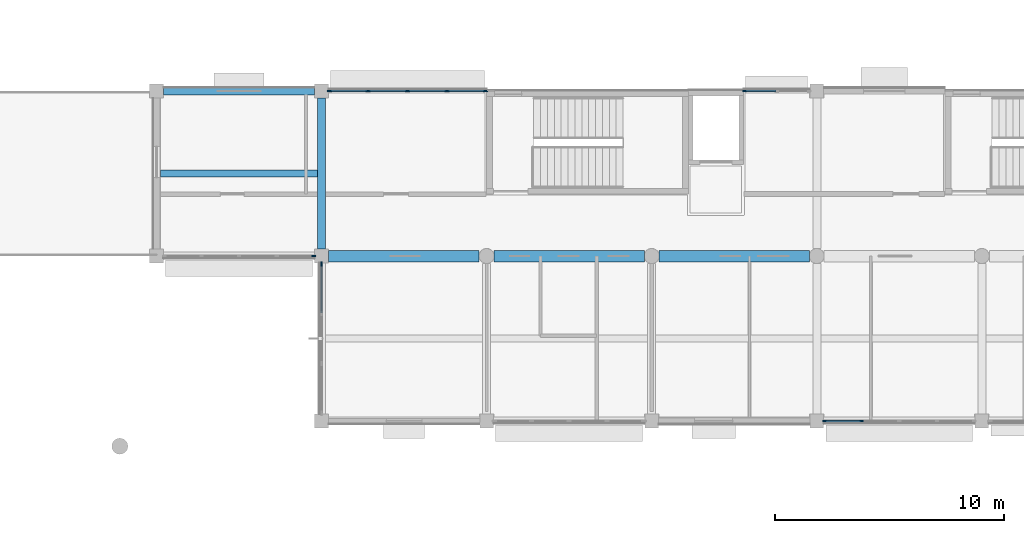
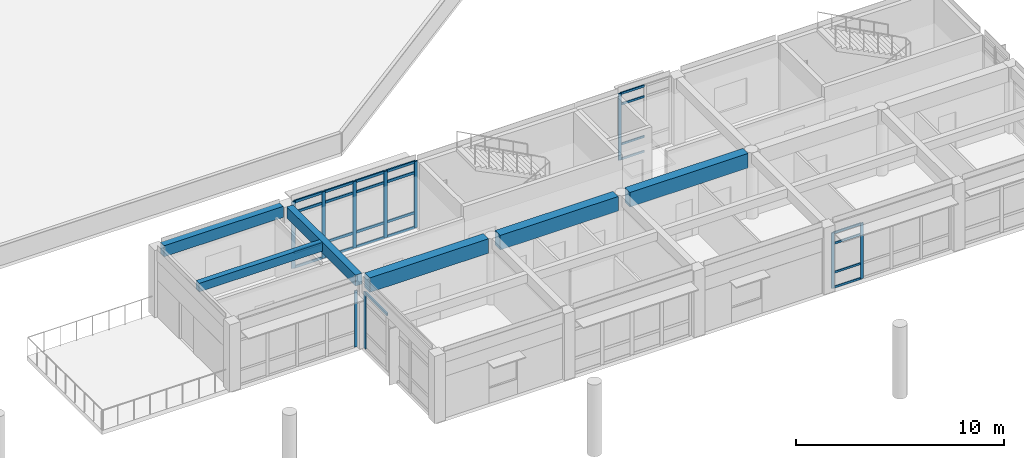
# One storey, part 4 of 55: 35 members, 6 beams, 5 elements without a shape of their own.
"""IFC4 building model written with IfcOpenShell, lengths in metres."""

from ifc_helpers import new_model, si_unit, direction, frame, origin, origin_2d, place, context, subcontext, project, spatial, rectangle, extrude, material, layer, layer_set, material_profile, profile_set, type_object, element, aggregate, save


model = new_model("IFC4")

# Units and contexts
model_context = context("Model", 3, precision=1e-05, world=origin(), true_north=direction((0.0, 1.0)))
body_context = subcontext(model_context, "Body", "Model", "MODEL_VIEW")
ifc_project = project(units=[si_unit("LENGTHUNIT", "METRE"), si_unit("AREAUNIT", "SQUARE_METRE"), si_unit("VOLUMEUNIT", "CUBIC_METRE"), si_unit("PLANEANGLEUNIT", "RADIAN"), si_unit("MASSUNIT", "GRAM", prefix="KILO")], contexts=[model_context])

# Site, building, storey
site_placement = place(None, origin())
site = spatial("IfcSite", under=ifc_project, at=site_placement, CompositionType="ELEMENT")
building_placement = place(site_placement, origin())
building = spatial("IfcBuilding", under=site, at=building_placement, Name="Namkhue Oval Health Centre", CompositionType="ELEMENT")
storey_placement = place(building_placement, frame((0.0, 0.0, 9.60009765625)))
storey = spatial("IfcBuildingStorey", under=building, at=storey_placement, Name="L02", CompositionType="ELEMENT", Elevation=9.60009765625)

# Curtain wall, members
ifc_material_1 = material(Name="Anodised aluminium EN AW-6063 T6", Category="aluminium")
ifc_layer_1 = layer(ifc_material_1, 0.159912109375)
ifc_layer_set_1 = layer_set([ifc_layer_1], Name="Anodised aluminium EN AW-6063 T6")
curtain_wall_type_1 = type_object("IfcCurtainWallType", Name="UNITISED CURTAIN WALL M1800", PredefinedType="NOTDEFINED", material=ifc_layer_set_1)
curtain_wall_1_placement = place(storey_placement, origin())
curtain_wall_1 = element("IfcCurtainWall", 1, at=curtain_wall_1_placement, inside=storey, type_object=curtain_wall_type_1, Name="Volume V4 L02 Unitised Curtain Wall 161", PredefinedType="NOTDEFINED")
ifc_material_profile_1 = material_profile(ifc_material_1, rectangle(XDim=0.06494140625, YDim=0.159912109375, at=origin_2d()), Name="ALU 65x160")
ifc_profile_set_1 = profile_set([ifc_material_profile_1], Name="Anodised aluminium EN AW-6063 T6")
member_type_1 = type_object("IfcMemberType", Name="CURTAIN WALL MULLION 65X160", PredefinedType="MULLION", material=ifc_profile_set_1)
member_1_placement = place(storey_placement, frame((72.343505859375, 14.39990234375, 0.0), z_axis=(0.0, 0.0, 1.0), x_axis=(0.0, 1.0, 0.0)))
member_1 = element("IfcMember", 2, at=member_1_placement, type_object=member_type_1, Name="CW-05 mullion 1", PredefinedType="MULLION", context=body_context, shape_type="SweptSolid", body=[
    extrude(rectangle(XDim=0.06494140625, YDim=0.159912109375, at=origin_2d()), origin(), (0.0, 0.0, 1.0), 3.25),
])
member_2_placement = place(storey_placement, frame((73.95556640625, 14.39990234375, 0.0), z_axis=(0.0, 0.0, 1.0), x_axis=(0.0, 1.0, 0.0)))
member_2 = element("IfcMember", 3, at=member_2_placement, type_object=member_type_1, Name="CW-05 mullion 2", PredefinedType="MULLION", context=body_context, shape_type="SweptSolid", body=[
    extrude(rectangle(XDim=0.06494140625, YDim=0.159912109375, at=origin_2d()), origin(), (0.0, 0.0, 1.0), 3.25),
])

# Curtain wall, member
ifc_layer_2 = layer(ifc_material_1, 0.159912109375)
ifc_layer_set_2 = layer_set([ifc_layer_2], Name="Anodised aluminium EN AW-6063 T6")
curtain_wall_type_2 = type_object("IfcCurtainWallType", Name="UNITISED CURTAIN WALL M1500", PredefinedType="NOTDEFINED", material=ifc_layer_set_2)
curtain_wall_2_placement = place(storey_placement, origin())
curtain_wall_2 = element("IfcCurtainWall", 4, at=curtain_wall_2_placement, inside=storey, type_object=curtain_wall_type_2, Name="Volume V4 L02 Unitised Curtain Wall 165", PredefinedType="NOTDEFINED")
member_3_placement = place(storey_placement, frame((68.849609375, 28.800048828125, 0.0), z_axis=(0.0, 0.0, 1.0), x_axis=(0.0, -1.0, 0.0)))
member_3 = element("IfcMember", 5, at=member_3_placement, type_object=member_type_1, Name="CW-03 mullion 3", PredefinedType="MULLION", context=body_context, shape_type="SweptSolid", body=[
    extrude(rectangle(XDim=0.06494140625, YDim=0.159912109375, at=origin_2d()), origin(), (0.0, 0.0, 1.0), 3.89990234375),
])

curtain_wall_3_placement = place(storey_placement, origin())
curtain_wall_3 = element("IfcCurtainWall", 6, at=curtain_wall_3_placement, inside=storey, type_object=curtain_wall_type_1, Name="Volume V4 L02 Unitised Curtain Wall 167", PredefinedType="NOTDEFINED")
member_4_placement = place(storey_placement, frame((50.056396484375, 21.60009765625, 0.0), z_axis=(0.0, 0.0, 1.0), x_axis=(0.0, 1.0, 0.0)))
member_4 = element("IfcMember", 7, at=member_4_placement, type_object=member_type_1, Name="CW-05 mullion 5", PredefinedType="MULLION", context=body_context, shape_type="SweptSolid", body=[
    extrude(rectangle(XDim=0.06494140625, YDim=0.159912109375, at=origin_2d()), origin(), (0.0, 0.0, 1.0), 3.2919921875),
])
aggregate(curtain_wall_3, [member_4])

# Curtain wall, members
ifc_layer_3 = layer(ifc_material_1, 0.159912109375)
ifc_layer_set_3 = layer_set([ifc_layer_3], Name="Anodised aluminium EN AW-6063 T6")
curtain_wall_type_3 = type_object("IfcCurtainWallType", Name="UNITISED CURTAIN WALL M1600", PredefinedType="NOTDEFINED", material=ifc_layer_set_3)
curtain_wall_4_placement = place(storey_placement, origin())
curtain_wall_4 = element("IfcCurtainWall", 8, at=curtain_wall_4_placement, inside=storey, type_object=curtain_wall_type_3, Name="Volume V4 L02 Unitised Curtain Wall 166", PredefinedType="NOTDEFINED")
ifc_material_profile_2 = material_profile(ifc_material_1, rectangle(XDim=0.074951171875, YDim=0.199951171875, at=origin_2d()), Name="ALU 75x200")
ifc_profile_set_2 = profile_set([ifc_material_profile_2], Name="Anodised aluminium EN AW-6063 T6")
member_type_2 = type_object("IfcMemberType", Name="CURTAIN WALL MULLION 75X200", PredefinedType="MULLION", material=ifc_profile_set_2)
member_5_placement = place(storey_placement, frame((57.54541015625, 28.800048828125, 0.0), z_axis=(0.0, 0.0, 1.0), x_axis=(0.0, -1.0, 0.0)))
member_5 = element("IfcMember", 9, at=member_5_placement, type_object=member_type_2, Name="CW-04 mullion 1", PredefinedType="MULLION", context=body_context, shape_type="SweptSolid", body=[
    extrude(rectangle(XDim=0.074951171875, YDim=0.199951171875, at=origin_2d()), origin(), (0.0, 0.0, 1.0), 3.89990234375),
])
member_6_placement = place(storey_placement, frame((55.864990234375, 28.800048828125, 0.0), z_axis=(0.0, 0.0, 1.0), x_axis=(0.0, -1.0, 0.0)))
member_6 = element("IfcMember", 10, at=member_6_placement, type_object=member_type_2, Name="CW-04 mullion 2", PredefinedType="MULLION", context=body_context, shape_type="SweptSolid", body=[
    extrude(rectangle(XDim=0.074951171875, YDim=0.199951171875, at=origin_2d()), origin(), (0.0, 0.0, 1.0), 3.89990234375),
])
member_7_placement = place(storey_placement, frame((54.14697265625, 28.800048828125, 0.0), z_axis=(0.0, 0.0, 1.0), x_axis=(0.0, -1.0, 0.0)))
member_7 = element("IfcMember", 11, at=member_7_placement, type_object=member_type_2, Name="CW-04 mullion 3", PredefinedType="MULLION", context=body_context, shape_type="SweptSolid", body=[
    extrude(rectangle(XDim=0.074951171875, YDim=0.199951171875, at=origin_2d()), origin(), (0.0, 0.0, 1.0), 3.89990234375),
])
member_8_placement = place(storey_placement, frame((52.428955078125, 28.800048828125, 0.0), z_axis=(0.0, 0.0, 1.0), x_axis=(0.0, -1.0, 0.0)))
member_8 = element("IfcMember", 12, at=member_8_placement, type_object=member_type_2, Name="CW-04 mullion 4", PredefinedType="MULLION", context=body_context, shape_type="SweptSolid", body=[
    extrude(rectangle(XDim=0.074951171875, YDim=0.199951171875, at=origin_2d()), origin(), (0.0, 0.0, 1.0), 3.89990234375),
])
member_9_placement = place(storey_placement, frame((50.74853515625, 28.800048828125, 0.0), z_axis=(0.0, 0.0, 1.0), x_axis=(0.0, -1.0, 0.0)))
member_9 = element("IfcMember", 13, at=member_9_placement, type_object=member_type_2, Name="CW-04 mullion 5", PredefinedType="MULLION", context=body_context, shape_type="SweptSolid", body=[
    extrude(rectangle(XDim=0.074951171875, YDim=0.199951171875, at=origin_2d()), origin(), (0.0, 0.0, 1.0), 3.89990234375),
])

# Curtain wall, member
ifc_layer_4 = layer(ifc_material_1, 0.159912109375)
ifc_layer_set_4 = layer_set([ifc_layer_4], Name="Anodised aluminium EN AW-6063 T6")
curtain_wall_type_4 = type_object("IfcCurtainWallType", Name="UNITISED CURTAIN WALL M2000", PredefinedType="NOTDEFINED", material=ifc_layer_set_4)
curtain_wall_5_placement = place(storey_placement, origin())
curtain_wall_5 = element("IfcCurtainWall", 14, at=curtain_wall_5_placement, inside=storey, type_object=curtain_wall_type_4, Name="Volume V4 L02 Unitised Curtain Wall 168", PredefinedType="NOTDEFINED")
member_10_placement = place(storey_placement, frame((50.39990234375, 21.25146484375, 0.0), z_axis=(0.0, 0.0, 1.0), x_axis=(1.0, 0.0, 0.0)))
member_10 = element("IfcMember", 15, at=member_10_placement, type_object=member_type_2, Name="CW-06 mullion 1", PredefinedType="MULLION", context=body_context, shape_type="SweptSolid", body=[
    extrude(rectangle(XDim=0.074951171875, YDim=0.199951171875, at=origin_2d()), origin(), (0.0, 0.0, 1.0), 3.2919921875),
])

# Member
ifc_material_profile_3 = material_profile(ifc_material_1, rectangle(XDim=0.06494140625, YDim=0.1201171875, at=origin_2d()), Name="ALU 65x120")
ifc_profile_set_3 = profile_set([ifc_material_profile_3], Name="Anodised aluminium EN AW-6063 T6")
member_type_3 = type_object("IfcMemberType", Name="CURTAIN WALL TRANSOM 65X120", PredefinedType="USERDEFINED", material=ifc_profile_set_3)
member_11_placement = place(storey_placement, frame((72.3759765625, 14.39990234375, 0.032470703125), z_axis=(1.0, 0.0, 0.0), x_axis=(0.0, 1.0, 0.0)))
member_11 = element("IfcMember", 16, at=member_11_placement, type_object=member_type_3, Name="CW-05 transom 1.1", ObjectType="TRANSOM", PredefinedType="USERDEFINED", context=body_context, shape_type="SweptSolid", body=[
    extrude(rectangle(XDim=0.06494140625, YDim=0.1201171875, at=origin_2d()), origin(), (0.0, 0.0, 1.0), 1.547119140625),
])

member_12_placement = place(storey_placement, frame((72.3759765625, 14.39990234375, 0.89990234375), z_axis=(1.0, 0.0, 0.0), x_axis=(0.0, 1.0, 0.0)))
member_12 = element("IfcMember", 17, at=member_12_placement, type_object=member_type_3, Name="CW-05 transom 1.2", ObjectType="TRANSOM", PredefinedType="USERDEFINED", context=body_context, shape_type="SweptSolid", body=[
    extrude(rectangle(XDim=0.06494140625, YDim=0.1201171875, at=origin_2d()), origin(), (0.0, 0.0, 1.0), 1.547119140625),
])

member_13_placement = place(storey_placement, frame((72.3759765625, 14.39990234375, 2.599853515625), z_axis=(1.0, 0.0, 0.0), x_axis=(0.0, 1.0, 0.0)))
member_13 = element("IfcMember", 18, at=member_13_placement, type_object=member_type_3, Name="CW-05 transom 1.3", ObjectType="TRANSOM", PredefinedType="USERDEFINED", context=body_context, shape_type="SweptSolid", body=[
    extrude(rectangle(XDim=0.06494140625, YDim=0.1201171875, at=origin_2d()), origin(), (0.0, 0.0, 1.0), 1.547119140625),
])

member_14_placement = place(storey_placement, frame((72.3759765625, 14.39990234375, 3.21728515625), z_axis=(1.0, 0.0, 0.0), x_axis=(0.0, 1.0, 0.0)))
member_14 = element("IfcMember", 19, at=member_14_placement, type_object=member_type_3, Name="CW-05 transom 1.4", ObjectType="TRANSOM", PredefinedType="USERDEFINED", context=body_context, shape_type="SweptSolid", body=[
    extrude(rectangle(XDim=0.06494140625, YDim=0.1201171875, at=origin_2d()), origin(), (0.0, 0.0, 1.0), 1.547119140625),
])

aggregate(curtain_wall_1, [member_1, member_2, member_11, member_12, member_13, member_14])

member_15_placement = place(storey_placement, frame((70.220458984375, 28.800048828125, 0.032470703125), z_axis=(-1.0, 0.0, 0.0), x_axis=(0.0, -1.0, 0.0)))
member_15 = element("IfcMember", 20, at=member_15_placement, type_object=member_type_3, Name="CW-03 transom 2.1", ObjectType="TRANSOM", PredefinedType="USERDEFINED", context=body_context, shape_type="SweptSolid", body=[
    extrude(rectangle(XDim=0.06494140625, YDim=0.1201171875, at=origin_2d()), origin(), (0.0, 0.0, 1.0), 1.33837890625),
])

member_16_placement = place(storey_placement, frame((70.220458984375, 28.800048828125, 0.89990234375), z_axis=(-1.0, 0.0, 0.0), x_axis=(0.0, -1.0, 0.0)))
member_16 = element("IfcMember", 21, at=member_16_placement, type_object=member_type_3, Name="CW-03 transom 2.2", ObjectType="TRANSOM", PredefinedType="USERDEFINED", context=body_context, shape_type="SweptSolid", body=[
    extrude(rectangle(XDim=0.06494140625, YDim=0.1201171875, at=origin_2d()), origin(), (0.0, 0.0, 1.0), 1.33837890625),
])

member_17_placement = place(storey_placement, frame((70.220458984375, 28.800048828125, 3.25), z_axis=(-1.0, 0.0, 0.0), x_axis=(0.0, -1.0, 0.0)))
member_17 = element("IfcMember", 22, at=member_17_placement, type_object=member_type_3, Name="CW-03 transom 2.3", ObjectType="TRANSOM", PredefinedType="USERDEFINED", context=body_context, shape_type="SweptSolid", body=[
    extrude(rectangle(XDim=0.06494140625, YDim=0.1201171875, at=origin_2d()), origin(), (0.0, 0.0, 1.0), 1.33837890625),
])

member_18_placement = place(storey_placement, frame((70.220458984375, 28.800048828125, 3.867431640625), z_axis=(-1.0, 0.0, 0.0), x_axis=(0.0, -1.0, 0.0)))
member_18 = element("IfcMember", 23, at=member_18_placement, type_object=member_type_3, Name="CW-03 transom 2.4", ObjectType="TRANSOM", PredefinedType="USERDEFINED", context=body_context, shape_type="SweptSolid", body=[
    extrude(rectangle(XDim=0.06494140625, YDim=0.1201171875, at=origin_2d()), origin(), (0.0, 0.0, 1.0), 1.33837890625),
])

aggregate(curtain_wall_2, [member_3, member_15, member_16, member_17, member_18])

ifc_material_profile_4 = material_profile(ifc_material_1, rectangle(XDim=0.074951171875, YDim=0.14990234375, at=origin_2d()), Name="ALU 75x150")
ifc_profile_set_4 = profile_set([ifc_material_profile_4], Name="Anodised aluminium EN AW-6063 T6")
member_type_4 = type_object("IfcMemberType", Name="CURTAIN WALL TRANSOM 75X150", PredefinedType="USERDEFINED", material=ifc_profile_set_4)
member_19_placement = place(storey_placement, frame((57.508056640625, 28.800048828125, 0.037353515625), z_axis=(-1.0, 0.0, 0.0), x_axis=(0.0, -1.0, 0.0)))
member_19 = element("IfcMember", 24, at=member_19_placement, type_object=member_type_4, Name="CW-04 transom 1.1", ObjectType="TRANSOM", PredefinedType="USERDEFINED", context=body_context, shape_type="SweptSolid", body=[
    extrude(rectangle(XDim=0.074951171875, YDim=0.14990234375, at=origin_2d()), origin(), (0.0, 0.0, 1.0), 1.60546875),
])

member_20_placement = place(storey_placement, frame((57.508056640625, 28.800048828125, 0.89990234375), z_axis=(-1.0, 0.0, 0.0), x_axis=(0.0, -1.0, 0.0)))
member_20 = element("IfcMember", 25, at=member_20_placement, type_object=member_type_4, Name="CW-04 transom 1.2", ObjectType="TRANSOM", PredefinedType="USERDEFINED", context=body_context, shape_type="SweptSolid", body=[
    extrude(rectangle(XDim=0.074951171875, YDim=0.14990234375, at=origin_2d()), origin(), (0.0, 0.0, 1.0), 1.60546875),
])

member_21_placement = place(storey_placement, frame((57.508056640625, 28.800048828125, 3.25), z_axis=(-1.0, 0.0, 0.0), x_axis=(0.0, -1.0, 0.0)))
member_21 = element("IfcMember", 26, at=member_21_placement, type_object=member_type_4, Name="CW-04 transom 1.3", ObjectType="TRANSOM", PredefinedType="USERDEFINED", context=body_context, shape_type="SweptSolid", body=[
    extrude(rectangle(XDim=0.074951171875, YDim=0.14990234375, at=origin_2d()), origin(), (0.0, 0.0, 1.0), 1.60546875),
])

member_22_placement = place(storey_placement, frame((57.508056640625, 28.800048828125, 3.8623046875), z_axis=(-1.0, 0.0, 0.0), x_axis=(0.0, -1.0, 0.0)))
member_22 = element("IfcMember", 27, at=member_22_placement, type_object=member_type_4, Name="CW-04 transom 1.4", ObjectType="TRANSOM", PredefinedType="USERDEFINED", context=body_context, shape_type="SweptSolid", body=[
    extrude(rectangle(XDim=0.074951171875, YDim=0.14990234375, at=origin_2d()), origin(), (0.0, 0.0, 1.0), 1.60546875),
])

member_23_placement = place(storey_placement, frame((55.827392578125, 28.800048828125, 0.037353515625), z_axis=(-1.0, 0.0, 0.0), x_axis=(0.0, -1.0, 0.0)))
member_23 = element("IfcMember", 28, at=member_23_placement, type_object=member_type_4, Name="CW-04 transom 2.1", ObjectType="TRANSOM", PredefinedType="USERDEFINED", context=body_context, shape_type="SweptSolid", body=[
    extrude(rectangle(XDim=0.074951171875, YDim=0.14990234375, at=origin_2d()), origin(), (0.0, 0.0, 1.0), 1.642822265625),
])

member_24_placement = place(storey_placement, frame((55.827392578125, 28.800048828125, 0.89990234375), z_axis=(-1.0, 0.0, 0.0), x_axis=(0.0, -1.0, 0.0)))
member_24 = element("IfcMember", 29, at=member_24_placement, type_object=member_type_4, Name="CW-04 transom 2.2", ObjectType="TRANSOM", PredefinedType="USERDEFINED", context=body_context, shape_type="SweptSolid", body=[
    extrude(rectangle(XDim=0.074951171875, YDim=0.14990234375, at=origin_2d()), origin(), (0.0, 0.0, 1.0), 1.642822265625),
])

member_25_placement = place(storey_placement, frame((55.827392578125, 28.800048828125, 3.25), z_axis=(-1.0, 0.0, 0.0), x_axis=(0.0, -1.0, 0.0)))
member_25 = element("IfcMember", 30, at=member_25_placement, type_object=member_type_4, Name="CW-04 transom 2.3", ObjectType="TRANSOM", PredefinedType="USERDEFINED", context=body_context, shape_type="SweptSolid", body=[
    extrude(rectangle(XDim=0.074951171875, YDim=0.14990234375, at=origin_2d()), origin(), (0.0, 0.0, 1.0), 1.642822265625),
])

member_26_placement = place(storey_placement, frame((55.827392578125, 28.800048828125, 3.8623046875), z_axis=(-1.0, 0.0, 0.0), x_axis=(0.0, -1.0, 0.0)))
member_26 = element("IfcMember", 31, at=member_26_placement, type_object=member_type_4, Name="CW-04 transom 2.4", ObjectType="TRANSOM", PredefinedType="USERDEFINED", context=body_context, shape_type="SweptSolid", body=[
    extrude(rectangle(XDim=0.074951171875, YDim=0.14990234375, at=origin_2d()), origin(), (0.0, 0.0, 1.0), 1.642822265625),
])

member_27_placement = place(storey_placement, frame((54.109619140625, 28.800048828125, 0.037353515625), z_axis=(-1.0, 0.0, 0.0), x_axis=(0.0, -1.0, 0.0)))
member_27 = element("IfcMember", 32, at=member_27_placement, type_object=member_type_4, Name="CW-04 transom 3.1", ObjectType="TRANSOM", PredefinedType="USERDEFINED", context=body_context, shape_type="SweptSolid", body=[
    extrude(rectangle(XDim=0.074951171875, YDim=0.14990234375, at=origin_2d()), origin(), (0.0, 0.0, 1.0), 1.64306640625),
])

member_28_placement = place(storey_placement, frame((54.109619140625, 28.800048828125, 0.89990234375), z_axis=(-1.0, 0.0, 0.0), x_axis=(0.0, -1.0, 0.0)))
member_28 = element("IfcMember", 33, at=member_28_placement, type_object=member_type_4, Name="CW-04 transom 3.2", ObjectType="TRANSOM", PredefinedType="USERDEFINED", context=body_context, shape_type="SweptSolid", body=[
    extrude(rectangle(XDim=0.074951171875, YDim=0.14990234375, at=origin_2d()), origin(), (0.0, 0.0, 1.0), 1.64306640625),
])

member_29_placement = place(storey_placement, frame((54.109619140625, 28.800048828125, 3.25), z_axis=(-1.0, 0.0, 0.0), x_axis=(0.0, -1.0, 0.0)))
member_29 = element("IfcMember", 34, at=member_29_placement, type_object=member_type_4, Name="CW-04 transom 3.3", ObjectType="TRANSOM", PredefinedType="USERDEFINED", context=body_context, shape_type="SweptSolid", body=[
    extrude(rectangle(XDim=0.074951171875, YDim=0.14990234375, at=origin_2d()), origin(), (0.0, 0.0, 1.0), 1.64306640625),
])

member_30_placement = place(storey_placement, frame((54.109619140625, 28.800048828125, 3.8623046875), z_axis=(-1.0, 0.0, 0.0), x_axis=(0.0, -1.0, 0.0)))
member_30 = element("IfcMember", 35, at=member_30_placement, type_object=member_type_4, Name="CW-04 transom 3.4", ObjectType="TRANSOM", PredefinedType="USERDEFINED", context=body_context, shape_type="SweptSolid", body=[
    extrude(rectangle(XDim=0.074951171875, YDim=0.14990234375, at=origin_2d()), origin(), (0.0, 0.0, 1.0), 1.64306640625),
])

member_31_placement = place(storey_placement, frame((52.3916015625, 28.800048828125, 0.037353515625), z_axis=(-1.0, 0.0, 0.0), x_axis=(0.0, -1.0, 0.0)))
member_31 = element("IfcMember", 36, at=member_31_placement, type_object=member_type_4, Name="CW-04 transom 4.1", ObjectType="TRANSOM", PredefinedType="USERDEFINED", context=body_context, shape_type="SweptSolid", body=[
    extrude(rectangle(XDim=0.074951171875, YDim=0.14990234375, at=origin_2d()), origin(), (0.0, 0.0, 1.0), 1.605712890625),
])

member_32_placement = place(storey_placement, frame((52.3916015625, 28.800048828125, 0.89990234375), z_axis=(-1.0, 0.0, 0.0), x_axis=(0.0, -1.0, 0.0)))
member_32 = element("IfcMember", 37, at=member_32_placement, type_object=member_type_4, Name="CW-04 transom 4.2", ObjectType="TRANSOM", PredefinedType="USERDEFINED", context=body_context, shape_type="SweptSolid", body=[
    extrude(rectangle(XDim=0.074951171875, YDim=0.14990234375, at=origin_2d()), origin(), (0.0, 0.0, 1.0), 1.605712890625),
])

member_33_placement = place(storey_placement, frame((52.3916015625, 28.800048828125, 3.25), z_axis=(-1.0, 0.0, 0.0), x_axis=(0.0, -1.0, 0.0)))
member_33 = element("IfcMember", 38, at=member_33_placement, type_object=member_type_4, Name="CW-04 transom 4.3", ObjectType="TRANSOM", PredefinedType="USERDEFINED", context=body_context, shape_type="SweptSolid", body=[
    extrude(rectangle(XDim=0.074951171875, YDim=0.14990234375, at=origin_2d()), origin(), (0.0, 0.0, 1.0), 1.605712890625),
])

member_34_placement = place(storey_placement, frame((52.3916015625, 28.800048828125, 3.8623046875), z_axis=(-1.0, 0.0, 0.0), x_axis=(0.0, -1.0, 0.0)))
member_34 = element("IfcMember", 39, at=member_34_placement, type_object=member_type_4, Name="CW-04 transom 4.4", ObjectType="TRANSOM", PredefinedType="USERDEFINED", context=body_context, shape_type="SweptSolid", body=[
    extrude(rectangle(XDim=0.074951171875, YDim=0.14990234375, at=origin_2d()), origin(), (0.0, 0.0, 1.0), 1.605712890625),
])

aggregate(curtain_wall_4, [member_5, member_6, member_7, member_8, member_9, member_19, member_20, member_21, member_22, member_23, member_24, member_25, member_26, member_27, member_28, member_29, member_30, member_31, member_32, member_33, member_34])

member_35_placement = place(storey_placement, frame((50.39990234375, 21.214111328125, 3.25439453125), z_axis=(0.0, -1.0, 0.0), x_axis=(1.0, 0.0, 0.0)))
member_35 = element("IfcMember", 40, at=member_35_placement, type_object=member_type_4, Name="CW-06 transom 1.4", ObjectType="TRANSOM", PredefinedType="USERDEFINED", context=body_context, shape_type="SweptSolid", body=[
    extrude(rectangle(XDim=0.074951171875, YDim=0.14990234375, at=origin_2d()), origin(), (0.0, 0.0, 1.0), 2.080322265625),
])

aggregate(curtain_wall_5, [member_10, member_35])

# Beams
ifc_material_2 = material(Name="Reinforced concrete C35/45 (TCVN B40)", Category="concrete")
ifc_material_profile_5 = material_profile(ifc_material_2, rectangle(XDim=0.35009765625, YDim=0.64990234375, at=origin_2d()), Name="RC 350x650")
ifc_profile_set_5 = profile_set([ifc_material_profile_5], Name="Reinforced concrete C35/45 (TCVN B40)")
beam_type_1 = type_object("IfcBeamType", Name="PERIMETER SPANDREL BEAM 350X650", PredefinedType="SPANDREL", material=ifc_profile_set_5)
for number, where, z_axis, x_axis, name in (
    (41, (43.5, 28.800048828125, 3.616943359375), (1.0, 0.0, 0.0), (0.0, 1.0, 0.0), "Volume V4 L03 Girder E/7-8"),
    (42, (50.39990234375, 21.89990234375, 3.616943359375), (0.0, 1.0, 0.0), (-1.0, 0.0, 0.0), "Volume V4 L03 Beam 8/D-E"),
):
    element("IfcBeam", number, at=place(storey_placement, frame(where, z_axis=z_axis, x_axis=x_axis)), inside=storey, type_object=beam_type_1, Name=name, PredefinedType="SPANDREL", context=body_context, shape_type="SweptSolid", body=[
        extrude(rectangle(XDim=0.35009765625, YDim=0.64990234375, at=origin_2d()), origin(), (0.0, 0.0, 1.0), 6.60009765625),
    ])
ifc_material_profile_6 = material_profile(ifc_material_2, rectangle(XDim=0.5, YDim=0.85009765625, at=origin_2d()), Name="RC 500x850")
ifc_profile_set_6 = profile_set([ifc_material_profile_6], Name="Reinforced concrete C35/45 (TCVN B40)")
beam_type_2 = type_object("IfcBeamType", Name="PRIMARY GIRDER RC 500X850", PredefinedType="USERDEFINED", material=ifc_profile_set_6)
beam_1_placement = place(storey_placement, frame((50.699951171875, 21.60009765625, 3.516845703125), z_axis=(1.0, 0.0, 0.0), x_axis=(0.0, 1.0, 0.0)))
element("IfcBeam", 43, at=beam_1_placement, inside=storey, type_object=beam_type_2, Name="Volume V4 L03 Girder D/8-9", ObjectType="GIRDER", PredefinedType="USERDEFINED", context=body_context, shape_type="SweptSolid", body=[
    extrude(rectangle(XDim=0.5, YDim=0.85009765625, at=origin_2d()), origin(), (0.0, 0.0, 1.0), 6.574951171875),
])
for number, where, z_axis, x_axis, name in (
    (44, (57.925048828125, 21.60009765625, 3.474853515625), (1.0, 0.0, 0.0), (0.0, 1.0, 0.0), "Volume V4 L03 Girder D/9-10"),
    (45, (65.125, 21.60009765625, 3.474853515625), (1.0, 0.0, 0.0), (0.0, 1.0, 0.0), "Volume V4 L03 Girder D/10-11"),
):
    element("IfcBeam", number, at=place(storey_placement, frame(where, z_axis=z_axis, x_axis=x_axis)), inside=storey, type_object=beam_type_2, Name=name, ObjectType="GIRDER", PredefinedType="USERDEFINED", context=body_context, shape_type="SweptSolid", body=[
        extrude(rectangle(XDim=0.5, YDim=0.85009765625, at=origin_2d()), origin(), (0.0, 0.0, 1.0), 6.550048828125),
    ])
ifc_material_3 = material(Name="Reinforced concrete C30/37 (TCVN B35)", Category="concrete")
ifc_material_profile_7 = material_profile(ifc_material_3, rectangle(XDim=0.300048828125, YDim=0.5, at=origin_2d()), Name="RC 300x500")
ifc_profile_set_7 = profile_set([ifc_material_profile_7], Name="Reinforced concrete C30/37 (TCVN B35)")
beam_type_3 = type_object("IfcBeamType", Name="SECONDARY JOIST RC 300X500", PredefinedType="JOIST", material=ifc_profile_set_7)
beam_2_placement = place(storey_placement, frame((43.375, 25.199951171875, 3.69189453125), z_axis=(1.0, 0.0, 0.0), x_axis=(0.0, 1.0, 0.0)))
element("IfcBeam", 46, at=beam_2_placement, inside=storey, type_object=beam_type_3, Name="Volume V4 L03 Secondary Joist 7-8", PredefinedType="JOIST", context=body_context, shape_type="SweptSolid", body=[
    extrude(rectangle(XDim=0.300048828125, YDim=0.5, at=origin_2d()), origin(), (0.0, 0.0, 1.0), 6.85009765625),
])

save(model, "model.ifc")
